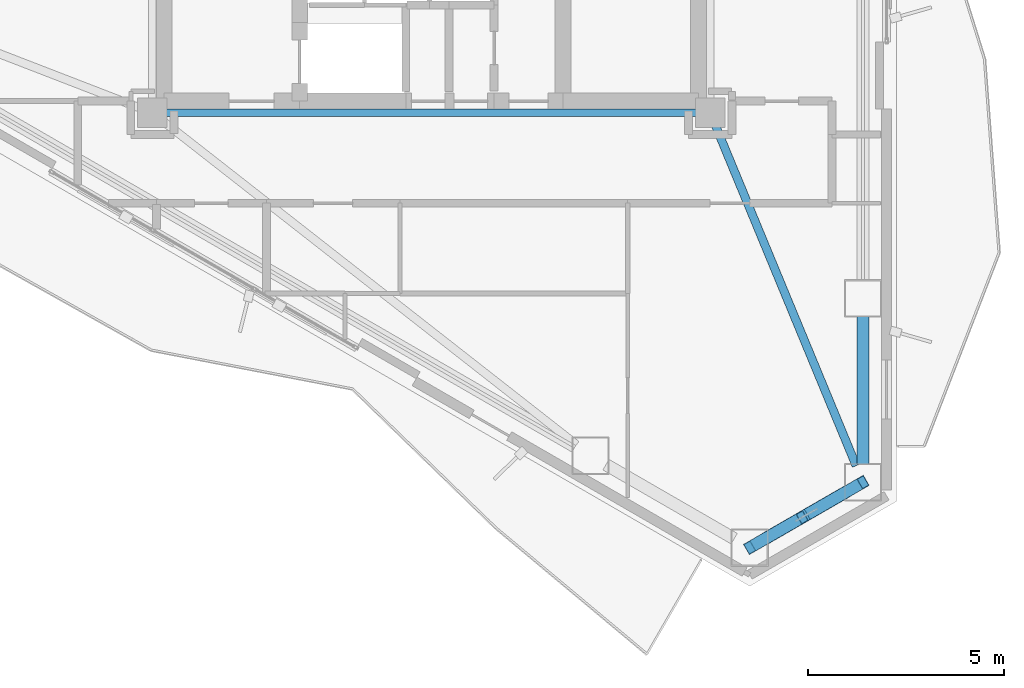
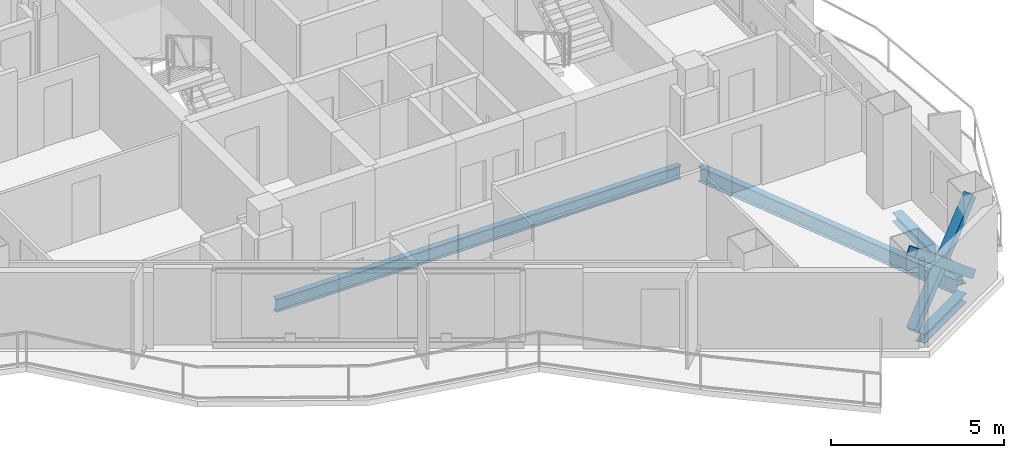
# One storey, part 5 of 22: 4 beams, 3 members.
"""IFC4 building model written with IfcOpenShell, lengths in metres."""

from ifc_helpers import new_model, si_unit, direction, frame, origin, origin_2d, place, context, subcontext, project, spatial, hollow_rectangle, i_section, extrude, material, material_profile, profile_set, type_object, element, save


model = new_model("IFC4")

# Units and contexts
model_context = context("Model", 3, precision=1e-05, world=origin(), true_north=direction((0.0, 1.0)))
body_context = subcontext(model_context, "Body", "Model", "MODEL_VIEW")
ifc_project = project(units=[si_unit("LENGTHUNIT", "METRE"), si_unit("AREAUNIT", "SQUARE_METRE"), si_unit("VOLUMEUNIT", "CUBIC_METRE"), si_unit("PLANEANGLEUNIT", "RADIAN"), si_unit("MASSUNIT", "GRAM", prefix="KILO")], contexts=[model_context])

# Site, building, storey
site_placement = place(None, origin())
site = spatial("IfcSite", under=ifc_project, at=site_placement, CompositionType="ELEMENT")
building_placement = place(site_placement, origin())
building = spatial("IfcBuilding", under=site, at=building_placement, Name="Mersakhor Tower and Convention Hall", CompositionType="ELEMENT")
storey_placement = place(building_placement, frame((0.0, 0.0, 188.699951171875)))
storey = spatial("IfcBuildingStorey", under=building, at=storey_placement, Name="L52", CompositionType="ELEMENT", Elevation=188.699951171875)

# Beams
ifc_material_1 = material(Name="Steel S355", Category="steel")
ifc_material_profile_1 = material_profile(ifc_material_1, i_section(OverallWidth=0.19140625, OverallDepth=0.4599609375, WebThickness=0.010009765625, FlangeThickness=0.01611328125, at=origin_2d()), Name="UB 457x191x82")
ifc_profile_set_1 = profile_set([ifc_material_profile_1], Name="Steel S355")
beam_type_1 = type_object("IfcBeamType", Name="BM-FB-457", PredefinedType="BEAM", material=ifc_profile_set_1)
beam_1_placement = place(storey_placement, frame((35.7451171875, 20.449951171875, -0.4599609375), z_axis=(-1.0, 0.0, 0.0), x_axis=(0.0, -1.0, 0.0)))
element("IfcBeam", 1, at=beam_1_placement, inside=storey, type_object=beam_type_1, Name="L52 Core Ring Tie Beam CRB-4", PredefinedType="BEAM", context=body_context, shape_type="SweptSolid", body=[
    extrude(i_section(OverallWidth=0.19140625, OverallDepth=0.4599609375, WebThickness=0.010009765625, FlangeThickness=0.01611328125, at=origin_2d()), origin(), (0.0, 0.0, 1.0), 13.490234375),
])
ifc_material_2 = material(Name="Steel S355", Category="steel")
ifc_material_profile_2 = material_profile(ifc_material_2, i_section(OverallWidth=0.2099609375, OverallDepth=0.53662109375, WebThickness=0.0107421875, FlangeThickness=0.017333984375, at=origin_2d()), Name="UB 533x210x101")
ifc_profile_set_2 = profile_set([ifc_material_profile_2], Name="Steel S355")
beam_type_2 = type_object("IfcBeamType", Name="BM-FB-533", PredefinedType="BEAM", material=ifc_profile_set_2)
beam_2_placement = place(storey_placement, frame((36.235595703125, 20.121826171875, -0.498291015625), z_axis=(0.382185218717, -0.924085742015, 0.0), x_axis=(0.924085742015, 0.382185218717, 0.0)))
element("IfcBeam", 2, at=beam_2_placement, inside=storey, type_object=beam_type_2, Name="L52 Primary Floor Girder FG-4", PredefinedType="BEAM", context=body_context, shape_type="SweptSolid", body=[
    extrude(i_section(OverallWidth=0.2099609375, OverallDepth=0.53662109375, WebThickness=0.0107421875, FlangeThickness=0.017333984375, at=origin_2d()), origin(), (0.0, 0.0, 1.0), 9.3642578125),
])
ifc_material_3 = material(Name="Steel S355", Category="steel")
ifc_material_profile_3 = material_profile(ifc_material_3, i_section(OverallWidth=0.30908203125, OverallDepth=0.320556640625, WebThickness=0.013916015625, FlangeThickness=0.021728515625, at=origin_2d()), Name="UC 305x305x137")
ifc_profile_set_3 = profile_set([ifc_material_profile_3], Name="Steel S355")
beam_type_3 = type_object("IfcBeamType", Name="BM-SPD-UC305", PredefinedType="SPANDREL", material=ifc_profile_set_3)
beam_3_placement = place(storey_placement, frame((39.98828125, 15.272216796875, -0.39013671875), z_axis=(0.0, -1.0, 0.0), x_axis=(1.0, 0.0, 0.0)))
element("IfcBeam", 3, at=beam_3_placement, inside=storey, type_object=beam_type_3, Name="L52 Perimeter Spandrel Beam SPB-07", PredefinedType="SPANDREL", context=body_context, shape_type="SweptSolid", body=[
    extrude(i_section(OverallWidth=0.30908203125, OverallDepth=0.320556640625, WebThickness=0.013916015625, FlangeThickness=0.021728515625, at=origin_2d()), origin(), (0.0, 0.0, 1.0), 3.769287109375),
])
beam_4_placement = place(storey_placement, frame((39.594482421875, 10.820556640625, -0.39013671875), z_axis=(-0.86605626798, -0.499946537834, 0.0), x_axis=(0.499946537834, -0.86605626798, 0.0)))
element("IfcBeam", 4, at=beam_4_placement, inside=storey, type_object=beam_type_3, Name="L52 Perimeter Spandrel Beam SPB-08", PredefinedType="SPANDREL", context=body_context, shape_type="SweptSolid", body=[
    extrude(i_section(OverallWidth=0.30908203125, OverallDepth=0.320556640625, WebThickness=0.013916015625, FlangeThickness=0.021728515625, at=origin_2d()), origin(), (0.0, 0.0, 1.0), 2.420654296875),
])

# Members
ifc_material_4 = material(Name="Steel S355", Category="steel")
ifc_material_profile_4 = material_profile(ifc_material_4, hollow_rectangle(XDim=0.300048828125, YDim=0.300048828125, WallThickness=0.01611328125, at=origin_2d()), Name="SHS 300x300x16")
ifc_profile_set_4 = profile_set([ifc_material_profile_4], Name="Steel S355")
member_type = type_object("IfcMemberType", Name="MB-BRC-SHS300", PredefinedType="BRACE", material=ifc_profile_set_4)
member_placement = place(storey_placement, frame((39.98828125, 11.048095703125, 0.150146484375), z_axis=(-0.665824923443, -0.384424564314, 0.639448923429), x_axis=(0.50001011158, -0.866019565782, 0.0)))
element("IfcMember", 5, at=member_placement, inside=storey, type_object=member_type, Name="L52 Chamfer Braced Frame Diagonal CB-2A", PredefinedType="BRACE", context=body_context, shape_type="SweptSolid", body=[
    extrude(hollow_rectangle(XDim=0.300048828125, YDim=0.300048828125, WallThickness=0.01611328125, at=origin_2d()), origin(), (0.0, 0.0, 1.0), 4.331787109375),
])
for number, where, z_axis, x_axis, name in (
    (6, (37.10400390625, 9.3828125, 0.150146484375), (0.665831077073, 0.384475140135, 0.639412107659), (-0.50005597947, 0.86599308161, 0.0), "L52 Chamfer Braced Frame Diagonal CB-2B Lower Half"),
    (7, (38.6533203125, 10.277099609375, 1.6376953125), (0.665711462011, 0.384476371073, 0.639535901599), (-0.500124558158, 0.865953478154, 0.0), "L52 Chamfer Braced Frame Diagonal CB-2B Upper Half"),
):
    element("IfcMember", number, at=place(storey_placement, frame(where, z_axis=z_axis, x_axis=x_axis)), inside=storey, type_object=member_type, Name=name, PredefinedType="BRACE", context=body_context, shape_type="SweptSolid", body=[
        extrude(hollow_rectangle(XDim=0.300048828125, YDim=0.300048828125, WallThickness=0.01611328125, at=origin_2d()), origin(), (0.0, 0.0, 1.0), 2.00537109375),
    ])

save(model, "model.ifc")
